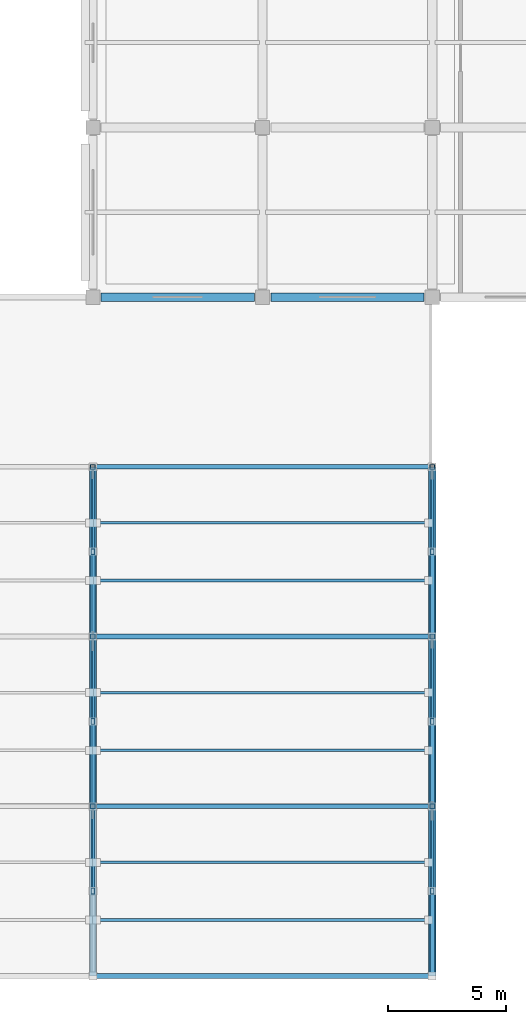
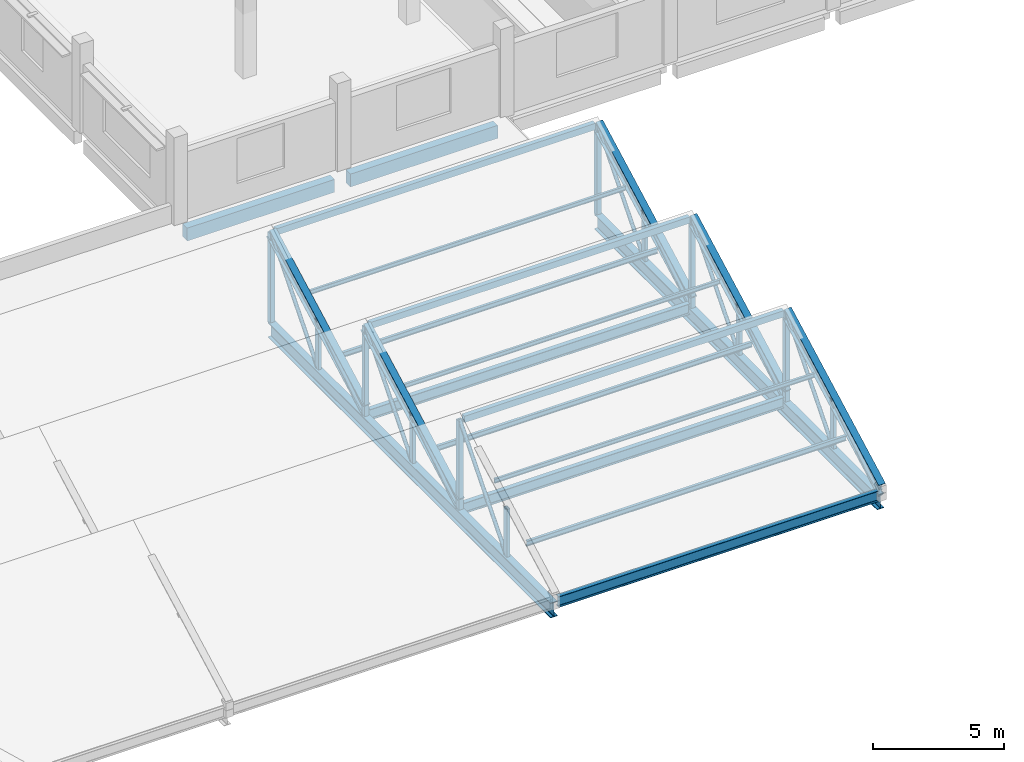
# One storey, part 26 of 62: 37 members, 7 beams.
"""IFC4 building model written with IfcOpenShell, lengths in metres."""

from ifc_helpers import new_model, si_unit, direction, frame, origin, origin_2d, place, context, subcontext, project, spatial, rectangle, hollow_rectangle, hollow_circle, i_section, extrude, material, material_profile, profile_set, type_object, element, save


model = new_model("IFC4")

# Units and contexts
model_context = context("Model", 3, precision=1e-05, world=origin(), true_north=direction((0.0, 1.0)))
body_context = subcontext(model_context, "Body", "Model", "MODEL_VIEW")
ifc_project = project(units=[si_unit("LENGTHUNIT", "METRE"), si_unit("AREAUNIT", "SQUARE_METRE"), si_unit("VOLUMEUNIT", "CUBIC_METRE"), si_unit("PLANEANGLEUNIT", "RADIAN"), si_unit("MASSUNIT", "GRAM", prefix="KILO")], contexts=[model_context])

# Site, building, storey
site_placement = place(None, origin())
site = spatial("IfcSite", under=ifc_project, at=site_placement, CompositionType="ELEMENT")
building_placement = place(site_placement, origin())
building = spatial("IfcBuilding", under=site, at=building_placement, Name="Valkovuoma Quantum and Materials Research Institute", CompositionType="ELEMENT")
storey_placement = place(building_placement, frame((0.0, 0.0, 13.1201171875)))
storey = spatial("IfcBuildingStorey", under=building, at=storey_placement, Name="L03", CompositionType="ELEMENT", Elevation=13.1201171875)

# Beams
ifc_material_1 = material(Name="Steel S355J2", Category="steel")
ifc_material_profile_1 = material_profile(ifc_material_1, i_section(OverallWidth=0.300048828125, OverallDepth=0.699951171875, WebThickness=0.01708984375, FlangeThickness=0.031982421875, FilletRadius=0.027099609375, at=origin_2d()), Name="Steel S355J2")
ifc_profile_set_1 = profile_set([ifc_material_profile_1], Name="Steel S355J2")
beam_type_1 = type_object("IfcBeamType", Name="Beam-B-HEB700", PredefinedType="BEAM", material=ifc_profile_set_1)
for number, where, z_axis, x_axis, name in (
    (1, (129.60009765625, 7.199951171875, -0.650146484375), (0.0, 1.0, 0.0), (-1.0, 0.0, 0.0), "L03 VOL1 sawtooth tie girder 3"),
    (2, (144.0, 7.199951171875, -0.650146484375), (0.0, 1.0, 0.0), (-1.0, 0.0, 0.0), "L03 VOL1 sawtooth tie girder 4"),
):
    element("IfcBeam", number, at=place(storey_placement, frame(where, z_axis=z_axis, x_axis=x_axis)), inside=storey, type_object=beam_type_1, Name=name, PredefinedType="BEAM", context=body_context, shape_type="SweptSolid", body=[
        extrude(i_section(OverallWidth=0.300048828125, OverallDepth=0.699951171875, WebThickness=0.01708984375, FlangeThickness=0.031982421875, FilletRadius=0.027099609375, at=origin_2d()), origin(), (0.0, 0.0, 1.0), 21.60009765625),
    ])
ifc_material_2 = material(Name="Steel S355J2", Category="steel")
ifc_material_profile_2 = material_profile(ifc_material_2, i_section(OverallWidth=0.199951171875, OverallDepth=0.5, WebThickness=0.01025390625, FlangeThickness=0.01611328125, FilletRadius=0.02099609375, at=origin_2d()), Name="Steel S355J2")
ifc_profile_set_2 = profile_set([ifc_material_profile_2], Name="Steel S355J2")
beam_type_2 = type_object("IfcBeamType", Name="Beam-B-IPE500", PredefinedType="BEAM", material=ifc_profile_set_2)
for number, where, z_axis, x_axis, name in (
    (3, (129.75, 7.199951171875, -0.300048828125), (1.0, 0.0, 0.0), (0.0, 1.0, 0.0), "L03 VOL1 valley beam 1.3"),
    (4, (129.75, 14.39990234375, -0.300048828125), (1.0, 0.0, 0.0), (0.0, 1.0, 0.0), "L03 VOL1 valley beam 2.3"),
    (5, (129.75, 21.60009765625, -0.300048828125), (1.0, 0.0, 0.0), (0.0, 1.0, 0.0), "L03 VOL1 valley beam 3.3"),
):
    element("IfcBeam", number, at=place(storey_placement, frame(where, z_axis=z_axis, x_axis=x_axis)), inside=storey, type_object=beam_type_2, Name=name, PredefinedType="BEAM", context=body_context, shape_type="SweptSolid", body=[
        extrude(i_section(OverallWidth=0.199951171875, OverallDepth=0.5, WebThickness=0.01025390625, FlangeThickness=0.01611328125, FilletRadius=0.02099609375, at=origin_2d()), origin(), (0.0, 0.0, 1.0), 14.10009765625),
    ])
ifc_material_3 = material(Name="Concrete C40/50", Category="concrete")
ifc_material_profile_3 = material_profile(ifc_material_3, rectangle(XDim=0.35009765625, YDim=0.60009765625, at=origin_2d()), Name="Concrete C40/50")
ifc_profile_set_3 = profile_set([ifc_material_profile_3], Name="Concrete C40/50")
beam_type_3 = type_object("IfcBeamType", Name="Beam-B-SPN600", PredefinedType="SPANDREL", material=ifc_profile_set_3)
for number, where, z_axis, x_axis, name in (
    (6, (129.949951171875, 36.0, -0.650146484375), (1.0, 0.0, 0.0), (0.0, 1.0, 0.0), "L03 beam X-1438"),
    (7, (137.14990234375, 36.0, -0.650146484375), (1.0, 0.0, 0.0), (0.0, 1.0, 0.0), "L03 beam X-1439"),
):
    element("IfcBeam", number, at=place(storey_placement, frame(where, z_axis=z_axis, x_axis=x_axis)), inside=storey, type_object=beam_type_3, Name=name, PredefinedType="SPANDREL", context=body_context, shape_type="SweptSolid", body=[
        extrude(rectangle(XDim=0.35009765625, YDim=0.60009765625, at=origin_2d()), origin(), (0.0, 0.0, 1.0), 6.5),
    ])

# Members
ifc_material_4 = material(Name="Steel S355J2H", Category="steel")
ifc_material_profile_4 = material_profile(ifc_material_4, hollow_circle(Radius=0.084228515625, WallThickness=0.008056640625, at=origin_2d()), Name="Steel S355J2H")
ifc_profile_set_4 = profile_set([ifc_material_profile_4], Name="Steel S355J2H")
member_type_1 = type_object("IfcMemberType", Name="Mem-M-BRC168", PredefinedType="BRACE", material=ifc_profile_set_4)
member_1_placement = place(storey_placement, frame((129.60009765625, 10.800048828125, -0.35009765625), z_axis=(0.0, 0.650780469282, 0.759265948664), x_axis=(-1.0, 0.0, 0.0)))
element("IfcMember", 8, at=member_1_placement, inside=storey, type_object=member_type_1, Name="L03 VOL1 sawtooth web brace 3.1B", PredefinedType="BRACE", context=body_context, shape_type="SweptSolid", body=[
    extrude(hollow_circle(Radius=0.084228515625, WallThickness=0.008056640625, at=origin_2d()), origin(), (0.0, 0.0, 1.0), 5.531494140625),
])
for number, where, z_axis, x_axis, name in (
    (9, (129.60009765625, 18.0, -0.35009765625), (0.0, 0.650805911728, 0.759244140748), (-1.0, 0.0, 0.0), "L03 VOL1 sawtooth web brace 3.2B"),
    (10, (129.60009765625, 25.199951171875, -0.35009765625), (0.0, 0.650805911728, 0.759244140748), (-1.0, 0.0, 0.0), "L03 VOL1 sawtooth web brace 3.3B"),
):
    element("IfcMember", number, at=place(storey_placement, frame(where, z_axis=z_axis, x_axis=x_axis)), inside=storey, type_object=member_type_1, Name=name, PredefinedType="BRACE", context=body_context, shape_type="SweptSolid", body=[
        extrude(hollow_circle(Radius=0.084228515625, WallThickness=0.008056640625, at=origin_2d()), origin(), (0.0, 0.0, 1.0), 5.53173828125),
    ])
member_2_placement = place(storey_placement, frame((144.0, 10.800048828125, -0.35009765625), z_axis=(0.0, 0.650780469282, 0.759265948664), x_axis=(-1.0, 0.0, 0.0)))
element("IfcMember", 11, at=member_2_placement, inside=storey, type_object=member_type_1, Name="L03 VOL1 sawtooth web brace 4.1B", PredefinedType="BRACE", context=body_context, shape_type="SweptSolid", body=[
    extrude(hollow_circle(Radius=0.084228515625, WallThickness=0.008056640625, at=origin_2d()), origin(), (0.0, 0.0, 1.0), 5.531494140625),
])
for number, where, z_axis, x_axis, name in (
    (12, (144.0, 18.0, -0.35009765625), (0.0, 0.650805911728, 0.759244140748), (-1.0, 0.0, 0.0), "L03 VOL1 sawtooth web brace 4.2B"),
    (13, (144.0, 25.199951171875, -0.35009765625), (0.0, 0.650805911728, 0.759244140748), (-1.0, 0.0, 0.0), "L03 VOL1 sawtooth web brace 4.3B"),
):
    element("IfcMember", number, at=place(storey_placement, frame(where, z_axis=z_axis, x_axis=x_axis)), inside=storey, type_object=member_type_1, Name=name, PredefinedType="BRACE", context=body_context, shape_type="SweptSolid", body=[
        extrude(hollow_circle(Radius=0.084228515625, WallThickness=0.008056640625, at=origin_2d()), origin(), (0.0, 0.0, 1.0), 5.53173828125),
    ])
ifc_material_5 = material(Name="Steel S355J2H", Category="steel")
ifc_material_profile_5 = material_profile(ifc_material_5, hollow_circle(Radius=0.109619140625, WallThickness=0.010009765625, at=origin_2d()), Name="Steel S355J2H")
ifc_profile_set_5 = profile_set([ifc_material_profile_5], Name="Steel S355J2H")
member_type_2 = type_object("IfcMemberType", Name="Mem-M-BRC219", PredefinedType="BRACE", material=ifc_profile_set_5)
member_3_placement = place(storey_placement, frame((129.60009765625, 14.39990234375, -0.35009765625), z_axis=(0.0, 0.84536627719, 0.53418709961), x_axis=(-1.0, 0.0, 0.0)))
element("IfcMember", 14, at=member_3_placement, inside=storey, type_object=member_type_2, Name="L03 VOL1 sawtooth web brace 3.2A", PredefinedType="BRACE", context=body_context, shape_type="SweptSolid", body=[
    extrude(hollow_circle(Radius=0.109619140625, WallThickness=0.010009765625, at=origin_2d()), origin(), (0.0, 0.0, 1.0), 4.258544921875),
])
member_4_placement = place(storey_placement, frame((129.60009765625, 21.60009765625, -0.35009765625), z_axis=(0.0, 0.845349916973, 0.534212989241), x_axis=(-1.0, 0.0, 0.0)))
element("IfcMember", 15, at=member_4_placement, inside=storey, type_object=member_type_2, Name="L03 VOL1 sawtooth web brace 3.3A", PredefinedType="BRACE", context=body_context, shape_type="SweptSolid", body=[
    extrude(hollow_circle(Radius=0.109619140625, WallThickness=0.010009765625, at=origin_2d()), origin(), (0.0, 0.0, 1.0), 4.25830078125),
])
for number, where, z_axis, x_axis, name in (
    (16, (144.0, 7.199951171875, -0.35009765625), (0.0, 0.84536627719, 0.53418709961), (-1.0, 0.0, 0.0), "L03 VOL1 sawtooth web brace 4.1A"),
    (17, (144.0, 14.39990234375, -0.35009765625), (0.0, 0.84536627719, 0.53418709961), (-1.0, 0.0, 0.0), "L03 VOL1 sawtooth web brace 4.2A"),
):
    element("IfcMember", number, at=place(storey_placement, frame(where, z_axis=z_axis, x_axis=x_axis)), inside=storey, type_object=member_type_2, Name=name, PredefinedType="BRACE", context=body_context, shape_type="SweptSolid", body=[
        extrude(hollow_circle(Radius=0.109619140625, WallThickness=0.010009765625, at=origin_2d()), origin(), (0.0, 0.0, 1.0), 4.258544921875),
    ])
member_5_placement = place(storey_placement, frame((144.0, 21.60009765625, -0.35009765625), z_axis=(0.0, 0.845349916973, 0.534212989241), x_axis=(-1.0, 0.0, 0.0)))
element("IfcMember", 18, at=member_5_placement, inside=storey, type_object=member_type_2, Name="L03 VOL1 sawtooth web brace 4.3A", PredefinedType="BRACE", context=body_context, shape_type="SweptSolid", body=[
    extrude(hollow_circle(Radius=0.109619140625, WallThickness=0.010009765625, at=origin_2d()), origin(), (0.0, 0.0, 1.0), 4.25830078125),
])
ifc_material_6 = material(Name="Steel S355J2H", Category="steel")
ifc_material_profile_6 = material_profile(ifc_material_6, hollow_rectangle(XDim=0.199951171875, YDim=0.300048828125, WallThickness=0.012451171875, at=origin_2d()), Name="Steel S355J2H")
ifc_profile_set_6 = profile_set([ifc_material_profile_6], Name="Steel S355J2H")
member_type_3 = type_object("IfcMemberType", Name="Mem-M-CHD300", PredefinedType="CHORD", material=ifc_profile_set_6)
for number, where, z_axis, x_axis, name in (
    (19, (129.75, 14.39990234375, 3.849853515625), (1.0, 0.0, 0.0), (0.0, 1.0, 0.0), "L03 VOL1 ridge chord 1.3"),
    (20, (129.75, 21.60009765625, 3.849853515625), (1.0, 0.0, 0.0), (0.0, 1.0, 0.0), "L03 VOL1 ridge chord 2.3"),
    (21, (129.75, 28.800048828125, 3.849853515625), (1.0, 0.0, 0.0), (0.0, 1.0, 0.0), "L03 VOL1 ridge chord 3.3"),
):
    element("IfcMember", number, at=place(storey_placement, frame(where, z_axis=z_axis, x_axis=x_axis)), inside=storey, type_object=member_type_3, Name=name, PredefinedType="CHORD", context=body_context, shape_type="SweptSolid", body=[
        extrude(hollow_rectangle(XDim=0.199951171875, YDim=0.300048828125, WallThickness=0.012451171875, at=origin_2d()), origin(), (0.0, 0.0, 1.0), 14.10009765625),
    ])
ifc_material_7 = material(Name="Steel S355J2", Category="steel")
ifc_material_profile_7 = material_profile(ifc_material_7, i_section(OverallWidth=0.300048828125, OverallDepth=0.5, WebThickness=0.014404296875, FlangeThickness=0.028076171875, FilletRadius=0.027099609375, at=origin_2d()), Name="Steel S355J2")
ifc_profile_set_7 = profile_set([ifc_material_profile_7], Name="Steel S355J2")
member_type_4 = type_object("IfcMemberType", Name="Mem-M-CHD500", PredefinedType="CHORD", material=ifc_profile_set_7)
member_6_placement = place(storey_placement, frame((129.60009765625, 14.39990234375, 0.0), z_axis=(0.0, 0.881856644358, 0.471517612399), x_axis=(-1.0, 0.0, 0.0)))
element("IfcMember", 22, at=member_6_placement, inside=storey, type_object=member_type_4, Name="L03 VOL1 sawtooth top chord 3.2", PredefinedType="CHORD", context=body_context, shape_type="SweptSolid", body=[
    extrude(i_section(OverallWidth=0.300048828125, OverallDepth=0.5, WebThickness=0.014404296875, FlangeThickness=0.028076171875, FilletRadius=0.027099609375, at=origin_2d()), origin(), (0.0, 0.0, 1.0), 8.164794921875),
])
for number, where, z_axis, x_axis, name in (
    (23, (129.60009765625, 21.60009765625, 0.0), (0.0, 0.881849996116, 0.471530046074), (-1.0, 0.0, 0.0), "L03 VOL1 sawtooth top chord 3.3"),
    (24, (144.0, 7.199951171875, 0.0), (0.0, 0.881849996116, 0.471530046074), (-1.0, 0.0, 0.0), "L03 VOL1 sawtooth top chord 4.1"),
):
    element("IfcMember", number, at=place(storey_placement, frame(where, z_axis=z_axis, x_axis=x_axis)), inside=storey, type_object=member_type_4, Name=name, PredefinedType="CHORD", context=body_context, shape_type="SweptSolid", body=[
        extrude(i_section(OverallWidth=0.300048828125, OverallDepth=0.5, WebThickness=0.014404296875, FlangeThickness=0.028076171875, FilletRadius=0.027099609375, at=origin_2d()), origin(), (0.0, 0.0, 1.0), 8.16455078125),
    ])
member_7_placement = place(storey_placement, frame((144.0, 14.39990234375, 0.0), z_axis=(0.0, 0.881856644358, 0.471517612399), x_axis=(-1.0, 0.0, 0.0)))
element("IfcMember", 25, at=member_7_placement, inside=storey, type_object=member_type_4, Name="L03 VOL1 sawtooth top chord 4.2", PredefinedType="CHORD", context=body_context, shape_type="SweptSolid", body=[
    extrude(i_section(OverallWidth=0.300048828125, OverallDepth=0.5, WebThickness=0.014404296875, FlangeThickness=0.028076171875, FilletRadius=0.027099609375, at=origin_2d()), origin(), (0.0, 0.0, 1.0), 8.164794921875),
])
member_8_placement = place(storey_placement, frame((144.0, 21.60009765625, 0.0), z_axis=(0.0, 0.881849996116, 0.471530046074), x_axis=(-1.0, 0.0, 0.0)))
element("IfcMember", 26, at=member_8_placement, inside=storey, type_object=member_type_4, Name="L03 VOL1 sawtooth top chord 4.3", PredefinedType="CHORD", context=body_context, shape_type="SweptSolid", body=[
    extrude(i_section(OverallWidth=0.300048828125, OverallDepth=0.5, WebThickness=0.014404296875, FlangeThickness=0.028076171875, FilletRadius=0.027099609375, at=origin_2d()), origin(), (0.0, 0.0, 1.0), 8.16455078125),
])
ifc_material_8 = material(Name="Steel S355J2", Category="steel")
ifc_material_profile_8 = material_profile(ifc_material_8, i_section(OverallWidth=0.10009765625, OverallDepth=0.199951171875, WebThickness=0.005615234375, FlangeThickness=0.008544921875, FilletRadius=0.011962890625, at=origin_2d()), Name="Steel S355J2")
ifc_profile_set_8 = profile_set([ifc_material_profile_8], Name="Steel S355J2")
member_type_5 = type_object("IfcMemberType", Name="Mem-M-PRL200", PredefinedType="PURLIN", material=ifc_profile_set_8)
for number, where, z_axis, x_axis, name in (
    (27, (129.75, 12.02392578125, 2.379150390625), (1.0, 0.0, 0.0), (0.0, 1.0, 0.0), "L03 VOL1 roof purlin 1.3.2"),
    (28, (129.75, 19.22412109375, 2.379150390625), (1.0, 0.0, 0.0), (0.0, 1.0, 0.0), "L03 VOL1 roof purlin 2.3.2"),
    (29, (129.75, 26.424072265625, 2.379150390625), (1.0, 0.0, 0.0), (0.0, 1.0, 0.0), "L03 VOL1 roof purlin 3.3.2"),
):
    element("IfcMember", number, at=place(storey_placement, frame(where, z_axis=z_axis, x_axis=x_axis)), inside=storey, type_object=member_type_5, Name=name, PredefinedType="PURLIN", context=body_context, shape_type="SweptSolid", body=[
        extrude(i_section(OverallWidth=0.10009765625, OverallDepth=0.199951171875, WebThickness=0.005615234375, FlangeThickness=0.008544921875, FilletRadius=0.011962890625, at=origin_2d()), origin(), (0.0, 0.0, 1.0), 14.10009765625),
    ])
ifc_material_9 = material(Name="Steel S355J2", Category="steel")
ifc_material_profile_9 = material_profile(ifc_material_9, i_section(OverallWidth=0.1201171875, OverallDepth=0.239990234375, WebThickness=0.006103515625, FlangeThickness=0.009765625, FilletRadius=0.014892578125, at=origin_2d()), Name="Steel S355J2")
ifc_profile_set_9 = profile_set([ifc_material_profile_9], Name="Steel S355J2")
member_type_6 = type_object("IfcMemberType", Name="Mem-M-PRL240", PredefinedType="PURLIN", material=ifc_profile_set_9)
for number, where, z_axis, x_axis, name in (
    (30, (129.75, 9.575927734375, 0.951171875), (1.0, 0.0, 0.0), (0.0, 1.0, 0.0), "L03 VOL1 roof purlin 1.3.1"),
    (31, (129.75, 16.77587890625, 0.951171875), (1.0, 0.0, 0.0), (0.0, 1.0, 0.0), "L03 VOL1 roof purlin 2.3.1"),
    (32, (129.75, 23.97607421875, 0.951171875), (1.0, 0.0, 0.0), (0.0, 1.0, 0.0), "L03 VOL1 roof purlin 3.3.1"),
):
    element("IfcMember", number, at=place(storey_placement, frame(where, z_axis=z_axis, x_axis=x_axis)), inside=storey, type_object=member_type_6, Name=name, PredefinedType="PURLIN", context=body_context, shape_type="SweptSolid", body=[
        extrude(i_section(OverallWidth=0.1201171875, OverallDepth=0.239990234375, WebThickness=0.006103515625, FlangeThickness=0.009765625, FilletRadius=0.014892578125, at=origin_2d()), origin(), (0.0, 0.0, 1.0), 14.10009765625),
    ])
ifc_material_10 = material(Name="Steel S355J2H", Category="steel")
ifc_material_profile_10 = material_profile(ifc_material_10, hollow_rectangle(XDim=0.199951171875, YDim=0.199951171875, WallThickness=0.010009765625, at=origin_2d()), Name="Steel S355J2H")
ifc_profile_set_10 = profile_set([ifc_material_profile_10], Name="Steel S355J2H")
member_type_7 = type_object("IfcMemberType", Name="Mem-M-STR200", PredefinedType="STRUT", material=ifc_profile_set_10)
for number, where, z_axis, x_axis, name in (
    (33, (129.60009765625, 14.39990234375, -0.35009765625), (0.0, 0.0, 1.0), (1.0, 0.0, 0.0), "L03 VOL1 sawtooth north post 3.1"),
    (34, (129.60009765625, 21.60009765625, -0.35009765625), (0.0, 0.0, 1.0), (1.0, 0.0, 0.0), "L03 VOL1 sawtooth north post 3.2"),
    (35, (129.60009765625, 28.800048828125, -0.35009765625), (0.0, 0.0, 1.0), (1.0, 0.0, 0.0), "L03 VOL1 sawtooth north post 3.3"),
    (36, (144.0, 14.39990234375, -0.35009765625), (0.0, 0.0, 1.0), (1.0, 0.0, 0.0), "L03 VOL1 sawtooth north post 4.1"),
    (37, (144.0, 21.60009765625, -0.35009765625), (0.0, 0.0, 1.0), (1.0, 0.0, 0.0), "L03 VOL1 sawtooth north post 4.2"),
    (38, (144.0, 28.800048828125, -0.35009765625), (0.0, 0.0, 1.0), (1.0, 0.0, 0.0), "L03 VOL1 sawtooth north post 4.3"),
):
    element("IfcMember", number, at=place(storey_placement, frame(where, z_axis=z_axis, x_axis=x_axis)), inside=storey, type_object=member_type_7, Name=name, PredefinedType="STRUT", context=body_context, shape_type="SweptSolid", body=[
        extrude(hollow_rectangle(XDim=0.199951171875, YDim=0.199951171875, WallThickness=0.010009765625, at=origin_2d()), origin(), (0.0, 0.0, 1.0), 4.199951171875),
    ])
ifc_material_11 = material(Name="Steel S355J2H", Category="steel")
ifc_material_profile_11 = material_profile(ifc_material_11, hollow_rectangle(XDim=0.14990234375, YDim=0.25, WallThickness=0.010009765625, at=origin_2d()), Name="Steel S355J2H")
ifc_profile_set_11 = profile_set([ifc_material_profile_11], Name="Steel S355J2H")
member_type_8 = type_object("IfcMemberType", Name="Mem-M-STR250R", PredefinedType="STRUT", material=ifc_profile_set_11)
for number, where, z_axis, x_axis, name in (
    (39, (129.60009765625, 10.800048828125, -0.35009765625), (0.0, 0.0, 1.0), (1.0, 0.0, 0.0), "L03 VOL1 sawtooth mid strut 3.1"),
    (40, (129.60009765625, 18.0, -0.35009765625), (0.0, 0.0, 1.0), (1.0, 0.0, 0.0), "L03 VOL1 sawtooth mid strut 3.2"),
    (41, (129.60009765625, 25.199951171875, -0.35009765625), (0.0, 0.0, 1.0), (1.0, 0.0, 0.0), "L03 VOL1 sawtooth mid strut 3.3"),
    (42, (144.0, 10.800048828125, -0.35009765625), (0.0, 0.0, 1.0), (1.0, 0.0, 0.0), "L03 VOL1 sawtooth mid strut 4.1"),
    (43, (144.0, 18.0, -0.35009765625), (0.0, 0.0, 1.0), (1.0, 0.0, 0.0), "L03 VOL1 sawtooth mid strut 4.2"),
    (44, (144.0, 25.199951171875, -0.35009765625), (0.0, 0.0, 1.0), (1.0, 0.0, 0.0), "L03 VOL1 sawtooth mid strut 4.3"),
):
    element("IfcMember", number, at=place(storey_placement, frame(where, z_axis=z_axis, x_axis=x_axis)), inside=storey, type_object=member_type_8, Name=name, PredefinedType="STRUT", context=body_context, shape_type="SweptSolid", body=[
        extrude(hollow_rectangle(XDim=0.14990234375, YDim=0.25, WallThickness=0.010009765625, at=origin_2d()), origin(), (0.0, 0.0, 1.0), 2.27490234375),
    ])

save(model, "model.ifc")
